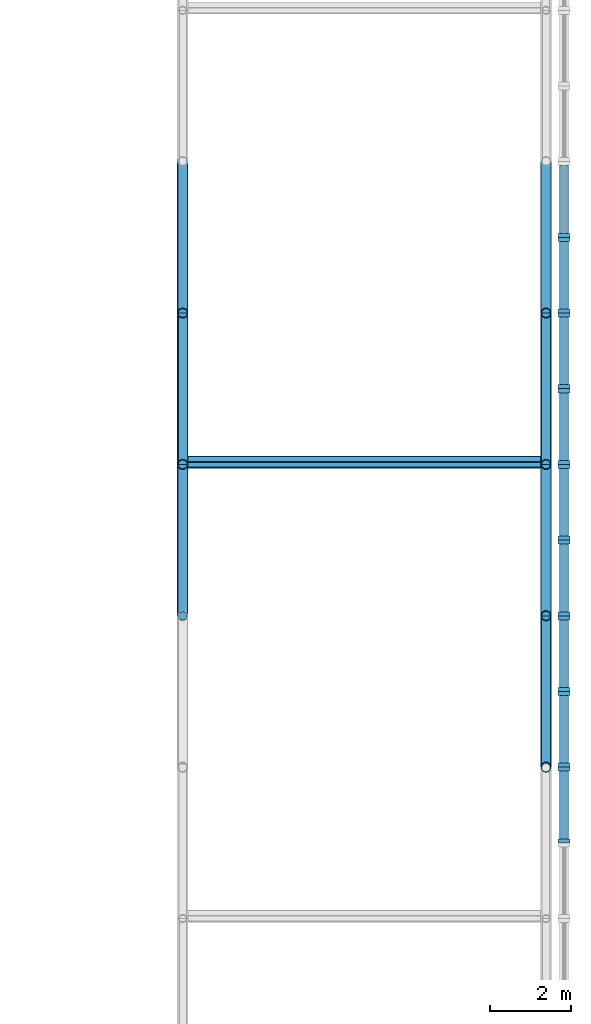
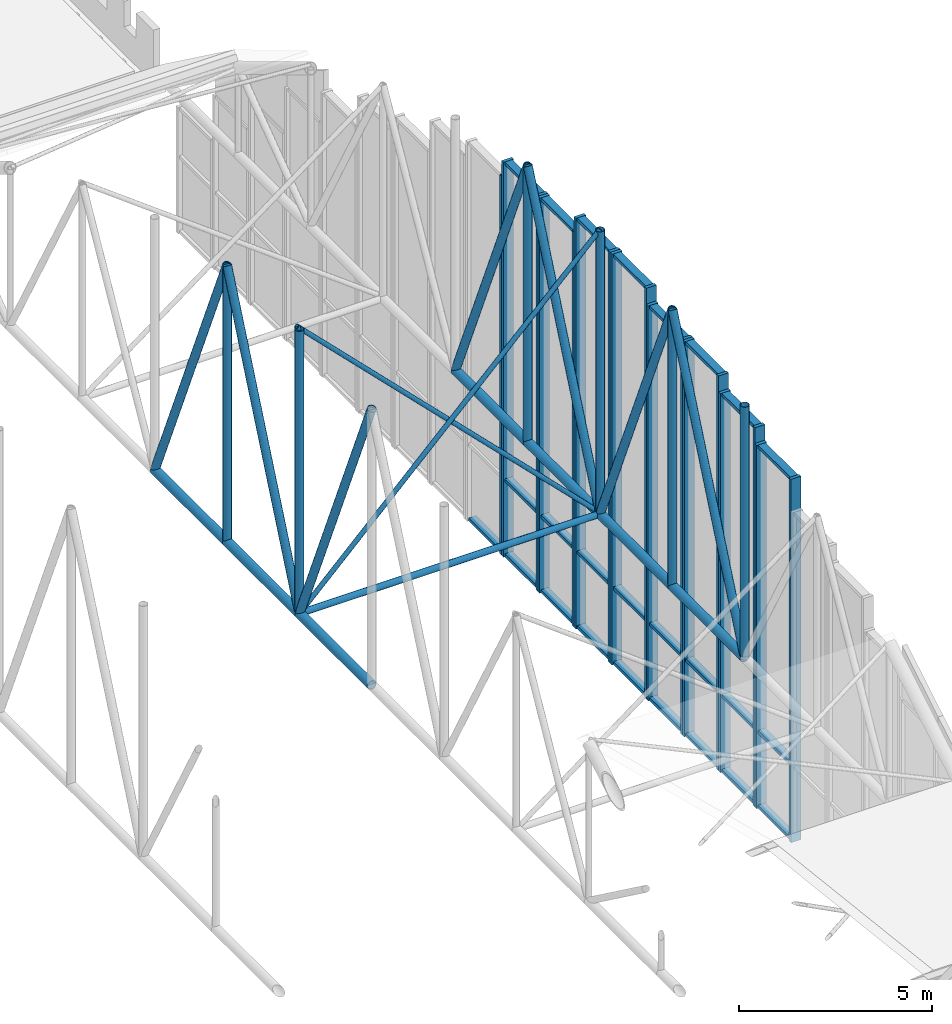
# One storey, part 64 of 153: 65 members, 9 elements without a shape of their own.
"""IFC4 building model written with IfcOpenShell, lengths in metres."""

from ifc_helpers import new_model, si_unit, direction, frame, origin, origin_2d, place, context, subcontext, project, spatial, rectangle, hollow_circle, extrude, material, material_profile, profile_set, type_object, element, aggregate, save


model = new_model("IFC4")

# Units and contexts
model_context = context("Model", 3, precision=1e-05, world=origin(), true_north=direction((0.0, 1.0)))
body_context = subcontext(model_context, "Body", "Model", "MODEL_VIEW")
ifc_project = project(units=[si_unit("LENGTHUNIT", "METRE"), si_unit("AREAUNIT", "SQUARE_METRE"), si_unit("VOLUMEUNIT", "CUBIC_METRE"), si_unit("PLANEANGLEUNIT", "RADIAN"), si_unit("MASSUNIT", "GRAM", prefix="KILO")], contexts=[model_context])

# Site, building, storey
site_placement = place(None, origin())
site = spatial("IfcSite", under=ifc_project, at=site_placement, CompositionType="ELEMENT")
building_placement = place(site_placement, origin())
building = spatial("IfcBuilding", under=site, at=building_placement, Name="Baradari Gate Terminus", CompositionType="ELEMENT")
storey_placement = place(building_placement, frame((0.0, 0.0, 11.699951171875)))
storey = spatial("IfcBuildingStorey", under=building, at=storey_placement, Name="L02", CompositionType="ELEMENT", Elevation=11.699951171875)

# Curtain wall, members
ifc_material_1 = material(Name="Aluminium 6063-T6", Category="aluminium")
curtain_wall_type_1 = type_object("IfcCurtainWallType", Name="Curtain wall CW-21 gable screen, other height", PredefinedType="NOTDEFINED", material=ifc_material_1)
curtain_wall_1_placement = place(storey_placement, origin())
curtain_wall_1 = element("IfcCurtainWall", 1, at=curtain_wall_1_placement, inside=storey, type_object=curtain_wall_type_1, Name="Gable glazing curtain wall CW-21 cell 04b", PredefinedType="NOTDEFINED")
ifc_material_2 = material(Name="Aluminium 6063-T6", Category="aluminium")
ifc_material_profile_1 = material_profile(ifc_material_2, rectangle(XDim=0.300048828125, YDim=0.10009765625, at=origin_2d()), Name="CM-21 100X300")
ifc_profile_set_1 = profile_set([ifc_material_profile_1], Name="Aluminium 6063-T6")
member_type_1 = type_object("IfcMemberType", Name="Curtain wall mullion CM-21 100x300", PredefinedType="MULLION", material=ifc_profile_set_1)
member_1_placement = place(storey_placement, frame((243.449951171875, 49.175048828125, -4.699951171875), z_axis=(0.0, 0.0, 1.0), x_axis=(-1.0, 0.0, 0.0)))
member_1 = element("IfcMember", 2, at=member_1_placement, type_object=member_type_1, Name="CW-21 mullion 1", PredefinedType="MULLION", context=body_context, shape_type="SweptSolid", body=[
    extrude(rectangle(XDim=0.300048828125, YDim=0.10009765625, at=origin_2d()), origin(), (0.0, 0.0, 1.0), 11.5),
])
member_2_placement = place(storey_placement, frame((243.449951171875, 50.949951171875, -4.699951171875), z_axis=(0.0, 0.0, 1.0), x_axis=(-1.0, 0.0, 0.0)))
member_2 = element("IfcMember", 3, at=member_2_placement, type_object=member_type_1, Name="CW-21 mullion 2", PredefinedType="MULLION", context=body_context, shape_type="SweptSolid", body=[
    extrude(rectangle(XDim=0.300048828125, YDim=0.10009765625, at=origin_2d()), origin(), (0.0, 0.0, 1.0), 11.5),
])

ifc_material_3 = material(Name="Aluminium 6063-T6", Category="aluminium")
curtain_wall_type_2 = type_object("IfcCurtainWallType", Name="Curtain wall CW-22 gable screen, other height", PredefinedType="NOTDEFINED", material=ifc_material_3)
curtain_wall_2_placement = place(storey_placement, origin())
curtain_wall_2 = element("IfcCurtainWall", 4, at=curtain_wall_2_placement, inside=storey, type_object=curtain_wall_type_2, Name="Gable glazing curtain wall CW-22 cell 05a", PredefinedType="NOTDEFINED")
ifc_material_4 = material(Name="Aluminium 6063-T6", Category="aluminium")
ifc_material_profile_2 = material_profile(ifc_material_4, rectangle(XDim=0.300048828125, YDim=0.10009765625, at=origin_2d()), Name="CM-22 100X300")
ifc_profile_set_2 = profile_set([ifc_material_profile_2], Name="Aluminium 6063-T6")
member_type_2 = type_object("IfcMemberType", Name="Curtain wall mullion CM-22 100x300", PredefinedType="MULLION", material=ifc_profile_set_2)
member_3_placement = place(storey_placement, frame((243.449951171875, 51.050048828125, -4.699951171875), z_axis=(0.0, 0.0, 1.0), x_axis=(-1.0, 0.0, 0.0)))
member_3 = element("IfcMember", 5, at=member_3_placement, type_object=member_type_2, Name="CW-22 mullion 1", PredefinedType="MULLION", context=body_context, shape_type="SweptSolid", body=[
    extrude(rectangle(XDim=0.300048828125, YDim=0.10009765625, at=origin_2d()), origin(), (0.0, 0.0, 1.0), 12.0),
])
member_4_placement = place(storey_placement, frame((243.449951171875, 52.824951171875, -4.699951171875), z_axis=(0.0, 0.0, 1.0), x_axis=(-1.0, 0.0, 0.0)))
member_4 = element("IfcMember", 6, at=member_4_placement, type_object=member_type_2, Name="CW-22 mullion 2", PredefinedType="MULLION", context=body_context, shape_type="SweptSolid", body=[
    extrude(rectangle(XDim=0.300048828125, YDim=0.10009765625, at=origin_2d()), origin(), (0.0, 0.0, 1.0), 12.0),
])

# Curtain wall, member
curtain_wall_3_placement = place(storey_placement, origin())
curtain_wall_3 = element("IfcCurtainWall", 7, at=curtain_wall_3_placement, inside=storey, type_object=curtain_wall_type_2, Name="Gable glazing curtain wall CW-22 cell 08b", PredefinedType="NOTDEFINED")
member_5_placement = place(storey_placement, frame((243.449951171875, 64.175048828125, -4.699951171875), z_axis=(0.0, 0.0, 1.0), x_axis=(-1.0, 0.0, 0.0)))
member_5 = element("IfcMember", 8, at=member_5_placement, type_object=member_type_2, Name="CW-22 mullion 1", PredefinedType="MULLION", context=body_context, shape_type="SweptSolid", body=[
    extrude(rectangle(XDim=0.300048828125, YDim=0.10009765625, at=origin_2d()), origin(), (0.0, 0.0, 1.0), 12.0),
])

# Curtain wall, members
ifc_material_5 = material(Name="Aluminium 6063-T6", Category="aluminium")
curtain_wall_type_3 = type_object("IfcCurtainWallType", Name="Curtain wall CW-23 gable screen, other height", PredefinedType="NOTDEFINED", material=ifc_material_5)
curtain_wall_4_placement = place(storey_placement, origin())
curtain_wall_4 = element("IfcCurtainWall", 9, at=curtain_wall_4_placement, inside=storey, type_object=curtain_wall_type_3, Name="Gable glazing curtain wall CW-23 cell 06b", PredefinedType="NOTDEFINED")
ifc_material_6 = material(Name="Aluminium 6063-T6", Category="aluminium")
ifc_material_profile_3 = material_profile(ifc_material_6, rectangle(XDim=0.300048828125, YDim=0.10009765625, at=origin_2d()), Name="CM-23 100X300")
ifc_profile_set_3 = profile_set([ifc_material_profile_3], Name="Aluminium 6063-T6")
member_type_3 = type_object("IfcMemberType", Name="Curtain wall mullion CM-23 100x300", PredefinedType="MULLION", material=ifc_profile_set_3)
member_6_placement = place(storey_placement, frame((243.449951171875, 56.675048828125, -4.699951171875), z_axis=(0.0, 0.0, 1.0), x_axis=(-1.0, 0.0, 0.0)))
member_6 = element("IfcMember", 10, at=member_6_placement, type_object=member_type_3, Name="CW-23 mullion 1", PredefinedType="MULLION", context=body_context, shape_type="SweptSolid", body=[
    extrude(rectangle(XDim=0.300048828125, YDim=0.10009765625, at=origin_2d()), origin(), (0.0, 0.0, 1.0), 13.0),
])
member_7_placement = place(storey_placement, frame((243.449951171875, 58.449951171875, -4.699951171875), z_axis=(0.0, 0.0, 1.0), x_axis=(-1.0, 0.0, 0.0)))
member_7 = element("IfcMember", 11, at=member_7_placement, type_object=member_type_3, Name="CW-23 mullion 2", PredefinedType="MULLION", context=body_context, shape_type="SweptSolid", body=[
    extrude(rectangle(XDim=0.300048828125, YDim=0.10009765625, at=origin_2d()), origin(), (0.0, 0.0, 1.0), 13.0),
])

curtain_wall_5_placement = place(storey_placement, origin())
curtain_wall_5 = element("IfcCurtainWall", 12, at=curtain_wall_5_placement, inside=storey, type_object=curtain_wall_type_3, Name="Gable glazing curtain wall CW-23 cell 07a", PredefinedType="NOTDEFINED")
member_8_placement = place(storey_placement, frame((243.449951171875, 58.550048828125, -4.699951171875), z_axis=(0.0, 0.0, 1.0), x_axis=(-1.0, 0.0, 0.0)))
member_8 = element("IfcMember", 13, at=member_8_placement, type_object=member_type_3, Name="CW-23 mullion 1", PredefinedType="MULLION", context=body_context, shape_type="SweptSolid", body=[
    extrude(rectangle(XDim=0.300048828125, YDim=0.10009765625, at=origin_2d()), origin(), (0.0, 0.0, 1.0), 13.0),
])
member_9_placement = place(storey_placement, frame((243.449951171875, 60.324951171875, -4.699951171875), z_axis=(0.0, 0.0, 1.0), x_axis=(-1.0, 0.0, 0.0)))
member_9 = element("IfcMember", 14, at=member_9_placement, type_object=member_type_3, Name="CW-23 mullion 2", PredefinedType="MULLION", context=body_context, shape_type="SweptSolid", body=[
    extrude(rectangle(XDim=0.300048828125, YDim=0.10009765625, at=origin_2d()), origin(), (0.0, 0.0, 1.0), 13.0),
])

ifc_material_7 = material(Name="Aluminium 6063-T6", Category="aluminium")
curtain_wall_type_4 = type_object("IfcCurtainWallType", Name="Curtain wall CW-6 gable screen", PredefinedType="NOTDEFINED", material=ifc_material_7)
curtain_wall_6_placement = place(storey_placement, origin())
curtain_wall_6 = element("IfcCurtainWall", 15, at=curtain_wall_6_placement, inside=storey, type_object=curtain_wall_type_4, Name="Gable glazing curtain wall CW-6 cell 05b", PredefinedType="NOTDEFINED")
ifc_material_8 = material(Name="Aluminium 6063-T6", Category="aluminium")
ifc_material_profile_4 = material_profile(ifc_material_8, rectangle(XDim=0.300048828125, YDim=0.10009765625, at=origin_2d()), Name="CM-6 100X300")
ifc_profile_set_4 = profile_set([ifc_material_profile_4], Name="Aluminium 6063-T6")
member_type_4 = type_object("IfcMemberType", Name="Curtain wall mullion CM-6 100x300", PredefinedType="MULLION", material=ifc_profile_set_4)
member_10_placement = place(storey_placement, frame((243.449951171875, 52.925048828125, -4.699951171875), z_axis=(0.0, 0.0, 1.0), x_axis=(-1.0, 0.0, 0.0)))
member_10 = element("IfcMember", 16, at=member_10_placement, type_object=member_type_4, Name="CW-6 mullion 1", PredefinedType="MULLION", context=body_context, shape_type="SweptSolid", body=[
    extrude(rectangle(XDim=0.300048828125, YDim=0.10009765625, at=origin_2d()), origin(), (0.0, 0.0, 1.0), 12.5),
])
member_11_placement = place(storey_placement, frame((243.449951171875, 54.699951171875, -4.699951171875), z_axis=(0.0, 0.0, 1.0), x_axis=(-1.0, 0.0, 0.0)))
member_11 = element("IfcMember", 17, at=member_11_placement, type_object=member_type_4, Name="CW-6 mullion 2", PredefinedType="MULLION", context=body_context, shape_type="SweptSolid", body=[
    extrude(rectangle(XDim=0.300048828125, YDim=0.10009765625, at=origin_2d()), origin(), (0.0, 0.0, 1.0), 12.5),
])

curtain_wall_7_placement = place(storey_placement, origin())
curtain_wall_7 = element("IfcCurtainWall", 18, at=curtain_wall_7_placement, inside=storey, type_object=curtain_wall_type_4, Name="Gable glazing curtain wall CW-6 cell 06a", PredefinedType="NOTDEFINED")
member_12_placement = place(storey_placement, frame((243.449951171875, 54.800048828125, -4.699951171875), z_axis=(0.0, 0.0, 1.0), x_axis=(-1.0, 0.0, 0.0)))
member_12 = element("IfcMember", 19, at=member_12_placement, type_object=member_type_4, Name="CW-6 mullion 1", PredefinedType="MULLION", context=body_context, shape_type="SweptSolid", body=[
    extrude(rectangle(XDim=0.300048828125, YDim=0.10009765625, at=origin_2d()), origin(), (0.0, 0.0, 1.0), 12.5),
])
member_13_placement = place(storey_placement, frame((243.449951171875, 56.574951171875, -4.699951171875), z_axis=(0.0, 0.0, 1.0), x_axis=(-1.0, 0.0, 0.0)))
member_13 = element("IfcMember", 20, at=member_13_placement, type_object=member_type_4, Name="CW-6 mullion 2", PredefinedType="MULLION", context=body_context, shape_type="SweptSolid", body=[
    extrude(rectangle(XDim=0.300048828125, YDim=0.10009765625, at=origin_2d()), origin(), (0.0, 0.0, 1.0), 12.5),
])

curtain_wall_8_placement = place(storey_placement, origin())
curtain_wall_8 = element("IfcCurtainWall", 21, at=curtain_wall_8_placement, inside=storey, type_object=curtain_wall_type_4, Name="Gable glazing curtain wall CW-6 cell 07b", PredefinedType="NOTDEFINED")
member_14_placement = place(storey_placement, frame((243.449951171875, 60.425048828125, -4.699951171875), z_axis=(0.0, 0.0, 1.0), x_axis=(-1.0, 0.0, 0.0)))
member_14 = element("IfcMember", 22, at=member_14_placement, type_object=member_type_4, Name="CW-6 mullion 1", PredefinedType="MULLION", context=body_context, shape_type="SweptSolid", body=[
    extrude(rectangle(XDim=0.300048828125, YDim=0.10009765625, at=origin_2d()), origin(), (0.0, 0.0, 1.0), 12.5),
])
member_15_placement = place(storey_placement, frame((243.449951171875, 62.199951171875, -4.699951171875), z_axis=(0.0, 0.0, 1.0), x_axis=(-1.0, 0.0, 0.0)))
member_15 = element("IfcMember", 23, at=member_15_placement, type_object=member_type_4, Name="CW-6 mullion 2", PredefinedType="MULLION", context=body_context, shape_type="SweptSolid", body=[
    extrude(rectangle(XDim=0.300048828125, YDim=0.10009765625, at=origin_2d()), origin(), (0.0, 0.0, 1.0), 12.5),
])

curtain_wall_9_placement = place(storey_placement, origin())
curtain_wall_9 = element("IfcCurtainWall", 24, at=curtain_wall_9_placement, inside=storey, type_object=curtain_wall_type_4, Name="Gable glazing curtain wall CW-6 cell 08a", PredefinedType="NOTDEFINED")
member_16_placement = place(storey_placement, frame((243.449951171875, 62.300048828125, -4.699951171875), z_axis=(0.0, 0.0, 1.0), x_axis=(-1.0, 0.0, 0.0)))
member_16 = element("IfcMember", 25, at=member_16_placement, type_object=member_type_4, Name="CW-6 mullion 1", PredefinedType="MULLION", context=body_context, shape_type="SweptSolid", body=[
    extrude(rectangle(XDim=0.300048828125, YDim=0.10009765625, at=origin_2d()), origin(), (0.0, 0.0, 1.0), 12.5),
])
member_17_placement = place(storey_placement, frame((243.449951171875, 64.074951171875, -4.699951171875), z_axis=(0.0, 0.0, 1.0), x_axis=(-1.0, 0.0, 0.0)))
member_17 = element("IfcMember", 26, at=member_17_placement, type_object=member_type_4, Name="CW-6 mullion 2", PredefinedType="MULLION", context=body_context, shape_type="SweptSolid", body=[
    extrude(rectangle(XDim=0.300048828125, YDim=0.10009765625, at=origin_2d()), origin(), (0.0, 0.0, 1.0), 12.5),
])

# Member
ifc_material_9 = material(Name="Aluminium 6063-T6", Category="aluminium")
ifc_material_profile_5 = material_profile(ifc_material_9, rectangle(XDim=0.22509765625, YDim=0.10009765625, at=origin_2d()), Name="CT-21 100X225")
ifc_profile_set_5 = profile_set([ifc_material_profile_5], Name="Aluminium 6063-T6")
member_type_5 = type_object("IfcMemberType", Name="Curtain wall transom CT-21 100x225", PredefinedType="USERDEFINED", material=ifc_profile_set_5)
member_18_placement = place(storey_placement, frame((243.449951171875, 49.22509765625, -4.64990234375), z_axis=(0.0, 1.0, 0.0), x_axis=(-1.0, 0.0, 0.0)))
member_18 = element("IfcMember", 27, at=member_18_placement, type_object=member_type_5, Name="CW-21 transom 1.1", ObjectType="TRANSOM", PredefinedType="USERDEFINED", context=body_context, shape_type="SweptSolid", body=[
    extrude(rectangle(XDim=0.22509765625, YDim=0.10009765625, at=origin_2d()), origin(), (0.0, 0.0, 1.0), 1.6748046875),
])

member_19_placement = place(storey_placement, frame((243.449951171875, 49.22509765625, -2.28173828125), z_axis=(0.0, 1.0, 0.0), x_axis=(-1.0, 0.0, 0.0)))
member_19 = element("IfcMember", 28, at=member_19_placement, type_object=member_type_5, Name="CW-21 transom 1.2", ObjectType="TRANSOM", PredefinedType="USERDEFINED", context=body_context, shape_type="SweptSolid", body=[
    extrude(rectangle(XDim=0.22509765625, YDim=0.10009765625, at=origin_2d()), origin(), (0.0, 0.0, 1.0), 1.6748046875),
])

member_20_placement = place(storey_placement, frame((243.449951171875, 49.22509765625, 6.75), z_axis=(0.0, 1.0, 0.0), x_axis=(-1.0, 0.0, 0.0)))
member_20 = element("IfcMember", 29, at=member_20_placement, type_object=member_type_5, Name="CW-21 transom 1.3", ObjectType="TRANSOM", PredefinedType="USERDEFINED", context=body_context, shape_type="SweptSolid", body=[
    extrude(rectangle(XDim=0.22509765625, YDim=0.10009765625, at=origin_2d()), origin(), (0.0, 0.0, 1.0), 1.6748046875),
])

aggregate(curtain_wall_1, [member_1, member_2, member_18, member_19, member_20])

ifc_material_10 = material(Name="Aluminium 6063-T6", Category="aluminium")
ifc_material_profile_6 = material_profile(ifc_material_10, rectangle(XDim=0.22509765625, YDim=0.10009765625, at=origin_2d()), Name="CT-22 100X225")
ifc_profile_set_6 = profile_set([ifc_material_profile_6], Name="Aluminium 6063-T6")
member_type_6 = type_object("IfcMemberType", Name="Curtain wall transom CT-22 100x225", PredefinedType="USERDEFINED", material=ifc_profile_set_6)
member_21_placement = place(storey_placement, frame((243.449951171875, 51.10009765625, -4.64990234375), z_axis=(0.0, 1.0, 0.0), x_axis=(-1.0, 0.0, 0.0)))
member_21 = element("IfcMember", 30, at=member_21_placement, type_object=member_type_6, Name="CW-22 transom 1.1", ObjectType="TRANSOM", PredefinedType="USERDEFINED", context=body_context, shape_type="SweptSolid", body=[
    extrude(rectangle(XDim=0.22509765625, YDim=0.10009765625, at=origin_2d()), origin(), (0.0, 0.0, 1.0), 1.6748046875),
])

member_22_placement = place(storey_placement, frame((243.449951171875, 51.10009765625, -2.28173828125), z_axis=(0.0, 1.0, 0.0), x_axis=(-1.0, 0.0, 0.0)))
member_22 = element("IfcMember", 31, at=member_22_placement, type_object=member_type_6, Name="CW-22 transom 1.2", ObjectType="TRANSOM", PredefinedType="USERDEFINED", context=body_context, shape_type="SweptSolid", body=[
    extrude(rectangle(XDim=0.22509765625, YDim=0.10009765625, at=origin_2d()), origin(), (0.0, 0.0, 1.0), 1.6748046875),
])

member_23_placement = place(storey_placement, frame((243.449951171875, 51.10009765625, 7.25), z_axis=(0.0, 1.0, 0.0), x_axis=(-1.0, 0.0, 0.0)))
member_23 = element("IfcMember", 32, at=member_23_placement, type_object=member_type_6, Name="CW-22 transom 1.3", ObjectType="TRANSOM", PredefinedType="USERDEFINED", context=body_context, shape_type="SweptSolid", body=[
    extrude(rectangle(XDim=0.22509765625, YDim=0.10009765625, at=origin_2d()), origin(), (0.0, 0.0, 1.0), 1.6748046875),
])

aggregate(curtain_wall_2, [member_3, member_4, member_21, member_22, member_23])

member_24_placement = place(storey_placement, frame((243.449951171875, 64.22509765625, -4.64990234375), z_axis=(0.0, 1.0, 0.0), x_axis=(-1.0, 0.0, 0.0)))
member_24 = element("IfcMember", 33, at=member_24_placement, type_object=member_type_6, Name="CW-22 transom 1.1", ObjectType="TRANSOM", PredefinedType="USERDEFINED", context=body_context, shape_type="SweptSolid", body=[
    extrude(rectangle(XDim=0.22509765625, YDim=0.10009765625, at=origin_2d()), origin(), (0.0, 0.0, 1.0), 1.6748046875),
])

aggregate(curtain_wall_3, [member_5, member_24])

ifc_material_11 = material(Name="Aluminium 6063-T6", Category="aluminium")
ifc_material_profile_7 = material_profile(ifc_material_11, rectangle(XDim=0.22509765625, YDim=0.10009765625, at=origin_2d()), Name="CT-23 100X225")
ifc_profile_set_7 = profile_set([ifc_material_profile_7], Name="Aluminium 6063-T6")
member_type_7 = type_object("IfcMemberType", Name="Curtain wall transom CT-23 100x225", PredefinedType="USERDEFINED", material=ifc_profile_set_7)
member_25_placement = place(storey_placement, frame((243.449951171875, 56.72509765625, -4.64990234375), z_axis=(0.0, 1.0, 0.0), x_axis=(-1.0, 0.0, 0.0)))
member_25 = element("IfcMember", 34, at=member_25_placement, type_object=member_type_7, Name="CW-23 transom 1.1", ObjectType="TRANSOM", PredefinedType="USERDEFINED", context=body_context, shape_type="SweptSolid", body=[
    extrude(rectangle(XDim=0.22509765625, YDim=0.10009765625, at=origin_2d()), origin(), (0.0, 0.0, 1.0), 1.6748046875),
])

member_26_placement = place(storey_placement, frame((243.449951171875, 56.72509765625, -2.28173828125), z_axis=(0.0, 1.0, 0.0), x_axis=(-1.0, 0.0, 0.0)))
member_26 = element("IfcMember", 35, at=member_26_placement, type_object=member_type_7, Name="CW-23 transom 1.2", ObjectType="TRANSOM", PredefinedType="USERDEFINED", context=body_context, shape_type="SweptSolid", body=[
    extrude(rectangle(XDim=0.22509765625, YDim=0.10009765625, at=origin_2d()), origin(), (0.0, 0.0, 1.0), 1.6748046875),
])

member_27_placement = place(storey_placement, frame((243.449951171875, 56.72509765625, 8.25), z_axis=(0.0, 1.0, 0.0), x_axis=(-1.0, 0.0, 0.0)))
member_27 = element("IfcMember", 36, at=member_27_placement, type_object=member_type_7, Name="CW-23 transom 1.3", ObjectType="TRANSOM", PredefinedType="USERDEFINED", context=body_context, shape_type="SweptSolid", body=[
    extrude(rectangle(XDim=0.22509765625, YDim=0.10009765625, at=origin_2d()), origin(), (0.0, 0.0, 1.0), 1.6748046875),
])

aggregate(curtain_wall_4, [member_6, member_7, member_25, member_26, member_27])

member_28_placement = place(storey_placement, frame((243.449951171875, 58.60009765625, -4.64990234375), z_axis=(0.0, 1.0, 0.0), x_axis=(-1.0, 0.0, 0.0)))
member_28 = element("IfcMember", 37, at=member_28_placement, type_object=member_type_7, Name="CW-23 transom 1.1", ObjectType="TRANSOM", PredefinedType="USERDEFINED", context=body_context, shape_type="SweptSolid", body=[
    extrude(rectangle(XDim=0.22509765625, YDim=0.10009765625, at=origin_2d()), origin(), (0.0, 0.0, 1.0), 1.6748046875),
])

member_29_placement = place(storey_placement, frame((243.449951171875, 58.60009765625, -2.28173828125), z_axis=(0.0, 1.0, 0.0), x_axis=(-1.0, 0.0, 0.0)))
member_29 = element("IfcMember", 38, at=member_29_placement, type_object=member_type_7, Name="CW-23 transom 1.2", ObjectType="TRANSOM", PredefinedType="USERDEFINED", context=body_context, shape_type="SweptSolid", body=[
    extrude(rectangle(XDim=0.22509765625, YDim=0.10009765625, at=origin_2d()), origin(), (0.0, 0.0, 1.0), 1.6748046875),
])

member_30_placement = place(storey_placement, frame((243.449951171875, 58.60009765625, 8.25), z_axis=(0.0, 1.0, 0.0), x_axis=(-1.0, 0.0, 0.0)))
member_30 = element("IfcMember", 39, at=member_30_placement, type_object=member_type_7, Name="CW-23 transom 1.3", ObjectType="TRANSOM", PredefinedType="USERDEFINED", context=body_context, shape_type="SweptSolid", body=[
    extrude(rectangle(XDim=0.22509765625, YDim=0.10009765625, at=origin_2d()), origin(), (0.0, 0.0, 1.0), 1.6748046875),
])

aggregate(curtain_wall_5, [member_8, member_9, member_28, member_29, member_30])

ifc_material_12 = material(Name="Aluminium 6063-T6", Category="aluminium")
ifc_material_profile_8 = material_profile(ifc_material_12, rectangle(XDim=0.22509765625, YDim=0.10009765625, at=origin_2d()), Name="CT-6 100X225")
ifc_profile_set_8 = profile_set([ifc_material_profile_8], Name="Aluminium 6063-T6")
member_type_8 = type_object("IfcMemberType", Name="Curtain wall transom CT-6 100x225", PredefinedType="USERDEFINED", material=ifc_profile_set_8)
member_31_placement = place(storey_placement, frame((243.449951171875, 52.97509765625, -4.64990234375), z_axis=(0.0, 1.0, 0.0), x_axis=(-1.0, 0.0, 0.0)))
member_31 = element("IfcMember", 40, at=member_31_placement, type_object=member_type_8, Name="CW-6 transom 1.1", ObjectType="TRANSOM", PredefinedType="USERDEFINED", context=body_context, shape_type="SweptSolid", body=[
    extrude(rectangle(XDim=0.22509765625, YDim=0.10009765625, at=origin_2d()), origin(), (0.0, 0.0, 1.0), 1.6748046875),
])

member_32_placement = place(storey_placement, frame((243.449951171875, 52.97509765625, -2.28173828125), z_axis=(0.0, 1.0, 0.0), x_axis=(-1.0, 0.0, 0.0)))
member_32 = element("IfcMember", 41, at=member_32_placement, type_object=member_type_8, Name="CW-6 transom 1.2", ObjectType="TRANSOM", PredefinedType="USERDEFINED", context=body_context, shape_type="SweptSolid", body=[
    extrude(rectangle(XDim=0.22509765625, YDim=0.10009765625, at=origin_2d()), origin(), (0.0, 0.0, 1.0), 1.6748046875),
])

member_33_placement = place(storey_placement, frame((243.449951171875, 52.97509765625, 7.75), z_axis=(0.0, 1.0, 0.0), x_axis=(-1.0, 0.0, 0.0)))
member_33 = element("IfcMember", 42, at=member_33_placement, type_object=member_type_8, Name="CW-6 transom 1.3", ObjectType="TRANSOM", PredefinedType="USERDEFINED", context=body_context, shape_type="SweptSolid", body=[
    extrude(rectangle(XDim=0.22509765625, YDim=0.10009765625, at=origin_2d()), origin(), (0.0, 0.0, 1.0), 1.6748046875),
])

aggregate(curtain_wall_6, [member_10, member_11, member_31, member_32, member_33])

member_34_placement = place(storey_placement, frame((243.449951171875, 54.85009765625, -4.64990234375), z_axis=(0.0, 1.0, 0.0), x_axis=(-1.0, 0.0, 0.0)))
member_34 = element("IfcMember", 43, at=member_34_placement, type_object=member_type_8, Name="CW-6 transom 1.1", ObjectType="TRANSOM", PredefinedType="USERDEFINED", context=body_context, shape_type="SweptSolid", body=[
    extrude(rectangle(XDim=0.22509765625, YDim=0.10009765625, at=origin_2d()), origin(), (0.0, 0.0, 1.0), 1.6748046875),
])

member_35_placement = place(storey_placement, frame((243.449951171875, 54.85009765625, -2.28173828125), z_axis=(0.0, 1.0, 0.0), x_axis=(-1.0, 0.0, 0.0)))
member_35 = element("IfcMember", 44, at=member_35_placement, type_object=member_type_8, Name="CW-6 transom 1.2", ObjectType="TRANSOM", PredefinedType="USERDEFINED", context=body_context, shape_type="SweptSolid", body=[
    extrude(rectangle(XDim=0.22509765625, YDim=0.10009765625, at=origin_2d()), origin(), (0.0, 0.0, 1.0), 1.6748046875),
])

member_36_placement = place(storey_placement, frame((243.449951171875, 54.85009765625, 7.75), z_axis=(0.0, 1.0, 0.0), x_axis=(-1.0, 0.0, 0.0)))
member_36 = element("IfcMember", 45, at=member_36_placement, type_object=member_type_8, Name="CW-6 transom 1.3", ObjectType="TRANSOM", PredefinedType="USERDEFINED", context=body_context, shape_type="SweptSolid", body=[
    extrude(rectangle(XDim=0.22509765625, YDim=0.10009765625, at=origin_2d()), origin(), (0.0, 0.0, 1.0), 1.6748046875),
])

aggregate(curtain_wall_7, [member_12, member_13, member_34, member_35, member_36])

member_37_placement = place(storey_placement, frame((243.449951171875, 60.47509765625, -4.64990234375), z_axis=(0.0, 1.0, 0.0), x_axis=(-1.0, 0.0, 0.0)))
member_37 = element("IfcMember", 46, at=member_37_placement, type_object=member_type_8, Name="CW-6 transom 1.1", ObjectType="TRANSOM", PredefinedType="USERDEFINED", context=body_context, shape_type="SweptSolid", body=[
    extrude(rectangle(XDim=0.22509765625, YDim=0.10009765625, at=origin_2d()), origin(), (0.0, 0.0, 1.0), 1.6748046875),
])

member_38_placement = place(storey_placement, frame((243.449951171875, 60.47509765625, -2.28173828125), z_axis=(0.0, 1.0, 0.0), x_axis=(-1.0, 0.0, 0.0)))
member_38 = element("IfcMember", 47, at=member_38_placement, type_object=member_type_8, Name="CW-6 transom 1.2", ObjectType="TRANSOM", PredefinedType="USERDEFINED", context=body_context, shape_type="SweptSolid", body=[
    extrude(rectangle(XDim=0.22509765625, YDim=0.10009765625, at=origin_2d()), origin(), (0.0, 0.0, 1.0), 1.6748046875),
])

member_39_placement = place(storey_placement, frame((243.449951171875, 60.47509765625, 7.75), z_axis=(0.0, 1.0, 0.0), x_axis=(-1.0, 0.0, 0.0)))
member_39 = element("IfcMember", 48, at=member_39_placement, type_object=member_type_8, Name="CW-6 transom 1.3", ObjectType="TRANSOM", PredefinedType="USERDEFINED", context=body_context, shape_type="SweptSolid", body=[
    extrude(rectangle(XDim=0.22509765625, YDim=0.10009765625, at=origin_2d()), origin(), (0.0, 0.0, 1.0), 1.6748046875),
])

aggregate(curtain_wall_8, [member_14, member_15, member_37, member_38, member_39])

member_40_placement = place(storey_placement, frame((243.449951171875, 62.35009765625, -4.64990234375), z_axis=(0.0, 1.0, 0.0), x_axis=(-1.0, 0.0, 0.0)))
member_40 = element("IfcMember", 49, at=member_40_placement, type_object=member_type_8, Name="CW-6 transom 1.1", ObjectType="TRANSOM", PredefinedType="USERDEFINED", context=body_context, shape_type="SweptSolid", body=[
    extrude(rectangle(XDim=0.22509765625, YDim=0.10009765625, at=origin_2d()), origin(), (0.0, 0.0, 1.0), 1.6748046875),
])

member_41_placement = place(storey_placement, frame((243.449951171875, 62.35009765625, -2.28173828125), z_axis=(0.0, 1.0, 0.0), x_axis=(-1.0, 0.0, 0.0)))
member_41 = element("IfcMember", 50, at=member_41_placement, type_object=member_type_8, Name="CW-6 transom 1.2", ObjectType="TRANSOM", PredefinedType="USERDEFINED", context=body_context, shape_type="SweptSolid", body=[
    extrude(rectangle(XDim=0.22509765625, YDim=0.10009765625, at=origin_2d()), origin(), (0.0, 0.0, 1.0), 1.6748046875),
])

member_42_placement = place(storey_placement, frame((243.449951171875, 62.35009765625, 7.75), z_axis=(0.0, 1.0, 0.0), x_axis=(-1.0, 0.0, 0.0)))
member_42 = element("IfcMember", 51, at=member_42_placement, type_object=member_type_8, Name="CW-6 transom 1.3", ObjectType="TRANSOM", PredefinedType="USERDEFINED", context=body_context, shape_type="SweptSolid", body=[
    extrude(rectangle(XDim=0.22509765625, YDim=0.10009765625, at=origin_2d()), origin(), (0.0, 0.0, 1.0), 1.6748046875),
])

aggregate(curtain_wall_9, [member_16, member_17, member_40, member_41, member_42])

# Members
ifc_material_13 = material(Name="Steel S355", Category="steel")
ifc_material_profile_9 = material_profile(ifc_material_13, hollow_circle(Radius=0.136474609375, WallThickness=0.012451171875, at=origin_2d()), Name="CHS 273x12.5")
ifc_profile_set_9 = profile_set([ifc_material_profile_9], Name="Steel S355")
member_type_9 = type_object("IfcMemberType", Name="Shed bottom chord CHS 273x12.5", PredefinedType="CHORD", material=ifc_profile_set_9)
for number, where, z_axis, x_axis, name in (
    (52, (234.0, 54.75, 0.136474609375), (0.0, 1.0, 0.0), (-1.0, 0.0, 0.0), "TR/L02/S234-BC05"),
    (53, (234.0, 58.5, 0.136474609375), (0.0, 1.0, 0.0), (-1.0, 0.0, 0.0), "TR/L02/S234-BC06"),
    (54, (234.0, 62.25, 0.136474609375), (0.0, 1.0, 0.0), (-1.0, 0.0, 0.0), "TR/L02/S234-BC07"),
    (55, (243.0, 51.0, 0.136474609375), (0.0, 1.0, 0.0), (-1.0, 0.0, 0.0), "TR/L02/S243-BC04"),
    (56, (243.0, 54.75, 0.136474609375), (0.0, 1.0, 0.0), (-1.0, 0.0, 0.0), "TR/L02/S243-BC05"),
    (57, (243.0, 58.5, 0.136474609375), (0.0, 1.0, 0.0), (-1.0, 0.0, 0.0), "TR/L02/S243-BC06"),
    (58, (243.0, 62.25, 0.136474609375), (0.0, 1.0, 0.0), (-1.0, 0.0, 0.0), "TR/L02/S243-BC07"),
):
    element("IfcMember", number, at=place(storey_placement, frame(where, z_axis=z_axis, x_axis=x_axis)), inside=storey, type_object=member_type_9, Name=name, PredefinedType="CHORD", context=body_context, shape_type="SweptSolid", body=[
        extrude(hollow_circle(Radius=0.136474609375, WallThickness=0.012451171875, at=origin_2d()), origin(), (0.0, 0.0, 1.0), 3.75),
    ])
ifc_material_14 = material(Name="Steel S355", Category="steel")
ifc_material_profile_10 = material_profile(ifc_material_14, hollow_circle(Radius=0.096923828125, WallThickness=0.008056640625, at=origin_2d()), Name="CHS 193.7x8")
ifc_profile_set_10 = profile_set([ifc_material_profile_10], Name="Steel S355")
member_type_10 = type_object("IfcMemberType", Name="Shed bottom strut CHS 193.7x8", PredefinedType="STRUT", material=ifc_profile_set_10)
member_43_placement = place(storey_placement, frame((234.0, 58.5, 0.136474609375), z_axis=(1.0, 0.0, 0.0), x_axis=(0.0, 1.0, 0.0)))
element("IfcMember", 59, at=member_43_placement, inside=storey, type_object=member_type_10, Name="TR/L02/B243-ST06", PredefinedType="STRUT", context=body_context, shape_type="SweptSolid", body=[
    extrude(hollow_circle(Radius=0.096923828125, WallThickness=0.008056640625, at=origin_2d()), origin(), (0.0, 0.0, 1.0), 9.0),
])
ifc_material_15 = material(Name="Steel S355", Category="steel")
ifc_material_profile_11 = material_profile(ifc_material_15, hollow_circle(Radius=0.122314453125, WallThickness=0.010009765625, at=origin_2d()), Name="CHS 244.5x10")
ifc_profile_set_11 = profile_set([ifc_material_profile_11], Name="Steel S355")
member_type_11 = type_object("IfcMemberType", Name="Shed truss diagonal CHS 244.5x10", PredefinedType="BRACE", material=ifc_profile_set_11)
for number, where, z_axis, x_axis, name in (
    (60, (234.0, 54.75, 8.886474609375), (0.0, 0.393919298579, -0.919145030018), (-1.0, 0.0, 0.0), "TR/L02/S234-SD05"),
    (61, (234.0, 62.25, 8.886474609375), (0.0, -0.393919298579, -0.919145030018), (1.0, 0.0, 0.0), "TR/L02/S234-SD06"),
    (62, (234.0, 62.25, 8.886474609375), (0.0, 0.393919298579, -0.919145030018), (-1.0, 0.0, 0.0), "TR/L02/S234-SD07"),
    (63, (243.0, 54.75, 8.886474609375), (0.0, -0.393919298579, -0.919145030018), (1.0, 0.0, 0.0), "TR/L02/S243-SD04"),
    (64, (243.0, 54.75, 8.886474609375), (0.0, 0.393919298579, -0.919145030018), (-1.0, 0.0, 0.0), "TR/L02/S243-SD05"),
    (65, (243.0, 62.25, 8.886474609375), (0.0, -0.393919298579, -0.919145030018), (1.0, 0.0, 0.0), "TR/L02/S243-SD06"),
    (66, (243.0, 62.25, 8.886474609375), (0.0, 0.393919298579, -0.919145030018), (-1.0, 0.0, 0.0), "TR/L02/S243-SD07"),
):
    element("IfcMember", number, at=place(storey_placement, frame(where, z_axis=z_axis, x_axis=x_axis)), inside=storey, type_object=member_type_11, Name=name, PredefinedType="BRACE", context=body_context, shape_type="SweptSolid", body=[
        extrude(hollow_circle(Radius=0.122314453125, WallThickness=0.010009765625, at=origin_2d()), origin(), (0.0, 0.0, 1.0), 9.519775390625),
    ])
ifc_material_16 = material(Name="Steel S355", Category="steel")
ifc_material_profile_12 = material_profile(ifc_material_16, hollow_circle(Radius=0.122314453125, WallThickness=0.010009765625, at=origin_2d()), Name="CHS 244.5x10")
ifc_profile_set_12 = profile_set([ifc_material_profile_12], Name="Steel S355")
member_type_12 = type_object("IfcMemberType", Name="Shed truss post CHS 244.5x10", PredefinedType="POST", material=ifc_profile_set_12)
member_44_placement = place(storey_placement, frame((234.0, 58.5, 0.136474609375), z_axis=(0.0, 0.0, 1.0), x_axis=(1.0, 0.0, 0.0)))
element("IfcMember", 67, at=member_44_placement, inside=storey, type_object=member_type_12, Name="TR/L02/S234-SP06", PredefinedType="POST", context=body_context, shape_type="SweptSolid", body=[
    extrude(hollow_circle(Radius=0.122314453125, WallThickness=0.010009765625, at=origin_2d()), origin(), (0.0, 0.0, 1.0), 9.0),
])
member_45_placement = place(storey_placement, frame((234.0, 62.25, 0.136474609375), z_axis=(0.0, 0.0, 1.0), x_axis=(1.0, 0.0, 0.0)))
element("IfcMember", 68, at=member_45_placement, inside=storey, type_object=member_type_12, Name="TR/L02/S234-SP07", PredefinedType="POST", context=body_context, shape_type="SweptSolid", body=[
    extrude(hollow_circle(Radius=0.122314453125, WallThickness=0.010009765625, at=origin_2d()), origin(), (0.0, 0.0, 1.0), 8.75),
])
member_46_placement = place(storey_placement, frame((243.0, 51.0, 0.136474609375), z_axis=(0.0, 0.0, 1.0), x_axis=(1.0, 0.0, 0.0)))
element("IfcMember", 69, at=member_46_placement, inside=storey, type_object=member_type_12, Name="TR/L02/S243-SP04", PredefinedType="POST", context=body_context, shape_type="SweptSolid", body=[
    extrude(hollow_circle(Radius=0.122314453125, WallThickness=0.010009765625, at=origin_2d()), origin(), (0.0, 0.0, 1.0), 8.0),
])
member_47_placement = place(storey_placement, frame((243.0, 54.75, 0.136474609375), z_axis=(0.0, 0.0, 1.0), x_axis=(1.0, 0.0, 0.0)))
element("IfcMember", 70, at=member_47_placement, inside=storey, type_object=member_type_12, Name="TR/L02/S243-SP05", PredefinedType="POST", context=body_context, shape_type="SweptSolid", body=[
    extrude(hollow_circle(Radius=0.122314453125, WallThickness=0.010009765625, at=origin_2d()), origin(), (0.0, 0.0, 1.0), 8.75),
])
member_48_placement = place(storey_placement, frame((243.0, 58.5, 0.136474609375), z_axis=(0.0, 0.0, 1.0), x_axis=(1.0, 0.0, 0.0)))
element("IfcMember", 71, at=member_48_placement, inside=storey, type_object=member_type_12, Name="TR/L02/S243-SP06", PredefinedType="POST", context=body_context, shape_type="SweptSolid", body=[
    extrude(hollow_circle(Radius=0.122314453125, WallThickness=0.010009765625, at=origin_2d()), origin(), (0.0, 0.0, 1.0), 9.0),
])
member_49_placement = place(storey_placement, frame((243.0, 62.25, 0.136474609375), z_axis=(0.0, 0.0, 1.0), x_axis=(1.0, 0.0, 0.0)))
element("IfcMember", 72, at=member_49_placement, inside=storey, type_object=member_type_12, Name="TR/L02/S243-SP07", PredefinedType="POST", context=body_context, shape_type="SweptSolid", body=[
    extrude(hollow_circle(Radius=0.122314453125, WallThickness=0.010009765625, at=origin_2d()), origin(), (0.0, 0.0, 1.0), 8.75),
])
ifc_material_17 = material(Name="Steel S355", Category="steel")
ifc_material_profile_13 = material_profile(ifc_material_17, hollow_circle(Radius=0.06982421875, WallThickness=0.008056640625, at=origin_2d()), Name="CHS 139.7x8")
ifc_profile_set_13 = profile_set([ifc_material_profile_13], Name="Steel S355")
member_type_13 = type_object("IfcMemberType", Name="Shed vertical brace CHS 139.7x8", PredefinedType="BRACE", material=ifc_profile_set_13)
for number, where, z_axis, x_axis, name in (
    (73, (234.0, 58.5, 0.136474609375), (0.707106781187, 0.0, 0.707106781187), (0.0, 1.0, 0.0), "TR/L02/B243-VB06A"),
    (74, (234.0, 58.6396484375, 9.136474609375), (0.707106781187, 0.0, -0.707106781187), (0.0, 1.0, 0.0), "TR/L02/B243-VB06B"),
):
    element("IfcMember", number, at=place(storey_placement, frame(where, z_axis=z_axis, x_axis=x_axis)), inside=storey, type_object=member_type_13, Name=name, PredefinedType="BRACE", context=body_context, shape_type="SweptSolid", body=[
        extrude(hollow_circle(Radius=0.06982421875, WallThickness=0.008056640625, at=origin_2d()), origin(), (0.0, 0.0, 1.0), 12.72802734375),
    ])

save(model, "model.ifc")
